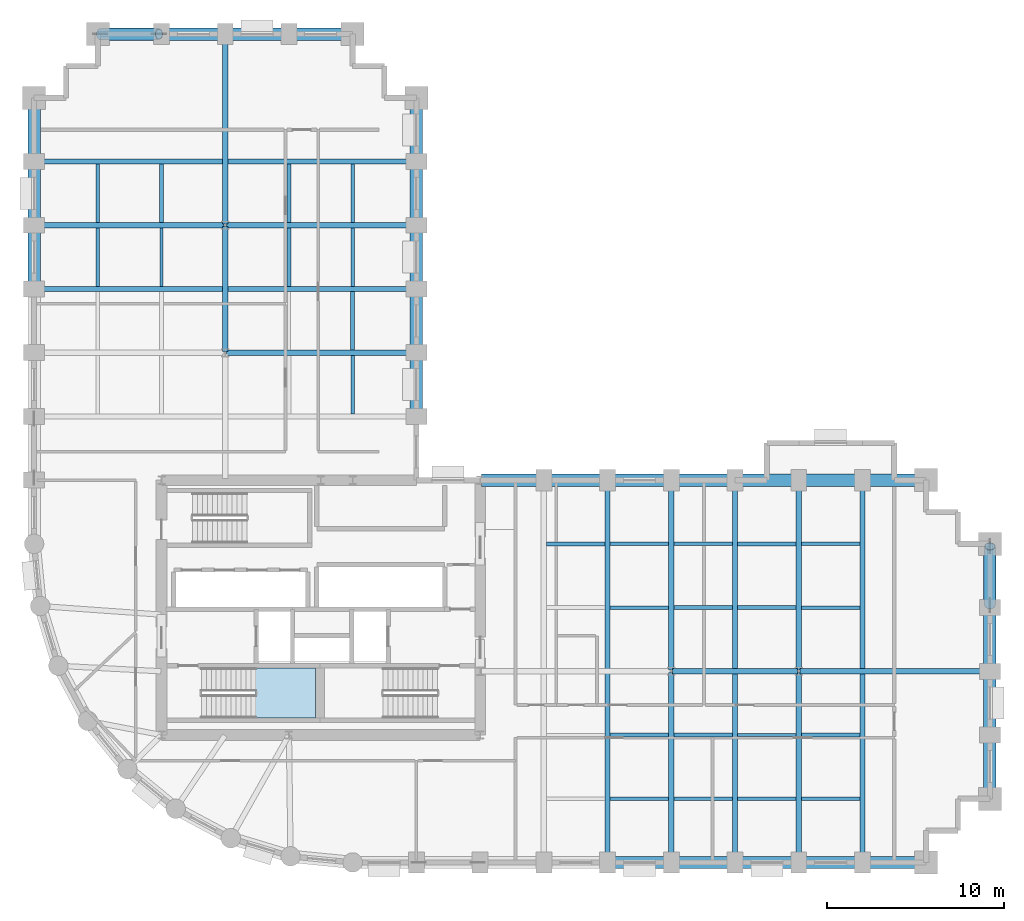
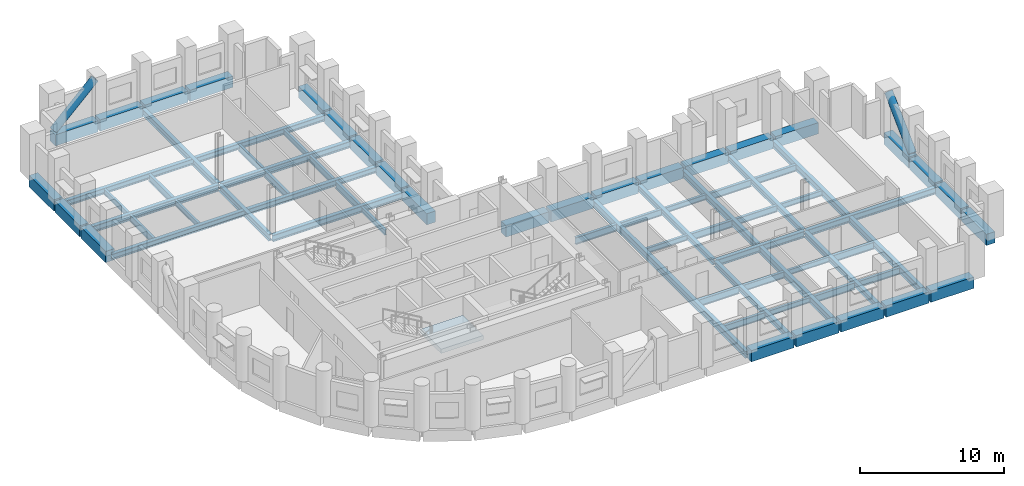
# One storey, part 2 of 9: 71 beams, 2 members, 1 slab, 1 element without a shape of its own.
"""IFC4 building model written with IfcOpenShell, lengths in metres."""

from ifc_helpers import new_model, si_unit, direction, frame, origin, origin_2d, place, context, subcontext, project, spatial, polyline, rectangle, hollow_circle, i_section, outline, extrude, material, layer, layer_set, material_profile, profile_set, type_object, element, aggregate, save


model = new_model("IFC4")

# Units and contexts
model_context = context("Model", 3, precision=1e-05, world=origin(), true_north=direction((0.0, 1.0)))
body_context = subcontext(model_context, "Body", "Model", "MODEL_VIEW")
ifc_project = project(units=[si_unit("LENGTHUNIT", "METRE"), si_unit("AREAUNIT", "SQUARE_METRE"), si_unit("VOLUMEUNIT", "CUBIC_METRE"), si_unit("PLANEANGLEUNIT", "RADIAN"), si_unit("MASSUNIT", "GRAM", prefix="KILO")], contexts=[model_context])

# Site, building, storey
site_placement = place(None, origin())
site = spatial("IfcSite", under=ifc_project, at=site_placement, CompositionType="ELEMENT")
building_placement = place(site_placement, origin())
building = spatial("IfcBuilding", under=site, at=building_placement, Name="Solnavia Interchange Tower", CompositionType="ELEMENT")
storey_placement = place(building_placement, frame((0.0, 0.0, 70.800048828125)))
storey = spatial("IfcBuildingStorey", under=building, at=storey_placement, Name="L17", CompositionType="ELEMENT", Elevation=70.800048828125)

# Beams
ifc_material_1 = material(Name="Steel S460", Category="steel")
ifc_material_profile_1 = material_profile(ifc_material_1, i_section(OverallWidth=0.300048828125, OverallDepth=0.550048828125, WebThickness=0.014892578125, FlangeThickness=0.029052734375, FilletRadius=0.027099609375, at=origin_2d()), Name="HEB 550")
ifc_profile_set_1 = profile_set([ifc_material_profile_1], Name="Steel S460")
beam_type_1 = type_object("IfcBeamType", Name="Beam-Girder-HEB550", PredefinedType="BEAM", material=ifc_profile_set_1)
beam_1_placement = place(storey_placement, frame((43.280029296875, 14.39990234375, -0.525146484375), z_axis=(1.0, 0.0, 0.0), x_axis=(0.0, 1.0, 0.0)))
element("IfcBeam", 1, at=beam_1_placement, inside=storey, type_object=beam_type_1, Name="GRD-L17-ES02 East wing spine girder", PredefinedType="BEAM", context=body_context, shape_type="SweptSolid", body=[
    extrude(i_section(OverallWidth=0.300048828125, OverallDepth=0.550048828125, WebThickness=0.014892578125, FlangeThickness=0.029052734375, FilletRadius=0.027099609375, at=origin_2d()), origin(), (0.0, 0.0, 1.0), 7.0400390625),
])
beam_2_placement = place(storey_placement, frame((50.47998046875, 14.39990234375, -0.525146484375), z_axis=(1.0, 0.0, 0.0), x_axis=(0.0, 1.0, 0.0)))
element("IfcBeam", 2, at=beam_2_placement, inside=storey, type_object=beam_type_1, Name="GRD-L17-ES03 East wing spine girder", PredefinedType="BEAM", context=body_context, shape_type="SweptSolid", body=[
    extrude(i_section(OverallWidth=0.300048828125, OverallDepth=0.550048828125, WebThickness=0.014892578125, FlangeThickness=0.029052734375, FilletRadius=0.027099609375, at=origin_2d()), origin(), (0.0, 0.0, 1.0), 10.64013671875),
])
beam_3_placement = place(storey_placement, frame((18.0, 32.47998046875, -0.525146484375), z_axis=(0.0, 1.0, 0.0), x_axis=(-1.0, 0.0, 0.0)))
element("IfcBeam", 3, at=beam_3_placement, inside=storey, type_object=beam_type_1, Name="GRD-L17-NS13 North wing spine girder", PredefinedType="BEAM", context=body_context, shape_type="SweptSolid", body=[
    extrude(i_section(OverallWidth=0.300048828125, OverallDepth=0.550048828125, WebThickness=0.014892578125, FlangeThickness=0.029052734375, FilletRadius=0.027099609375, at=origin_2d()), origin(), (0.0, 0.0, 1.0), 7.0400390625),
])
beam_4_placement = place(storey_placement, frame((18.0, 39.679931640625, -0.525146484375), z_axis=(0.0, 1.0, 0.0), x_axis=(-1.0, 0.0, 0.0)))
element("IfcBeam", 4, at=beam_4_placement, inside=storey, type_object=beam_type_1, Name="GRD-L17-NS14 North wing spine girder", PredefinedType="BEAM", context=body_context, shape_type="SweptSolid", body=[
    extrude(i_section(OverallWidth=0.300048828125, OverallDepth=0.550048828125, WebThickness=0.014892578125, FlangeThickness=0.029052734375, FilletRadius=0.027099609375, at=origin_2d()), origin(), (0.0, 0.0, 1.0), 10.64013671875),
])
for number, where, z_axis, x_axis, name in (
    (5, (18.080078125, 32.39990234375, -0.525146484375), (1.0, 0.0, 0.0), (0.0, 1.0, 0.0), "GRD-L17-NW17 North wing primary floor girder"),
    (6, (7.280029296875, 39.60009765625, -0.525146484375), (1.0, 0.0, 0.0), (0.0, 1.0, 0.0), "GRD-L17-NW19 North wing primary floor girder"),
    (7, (18.080078125, 39.60009765625, -0.525146484375), (1.0, 0.0, 0.0), (0.0, 1.0, 0.0), "GRD-L17-NW20 North wing primary floor girder"),
):
    element("IfcBeam", number, at=place(storey_placement, frame(where, z_axis=z_axis, x_axis=x_axis)), inside=storey, type_object=beam_type_1, Name=name, PredefinedType="BEAM", context=body_context, shape_type="SweptSolid", body=[
        extrude(i_section(OverallWidth=0.300048828125, OverallDepth=0.550048828125, WebThickness=0.014892578125, FlangeThickness=0.029052734375, FilletRadius=0.027099609375, at=origin_2d()), origin(), (0.0, 0.0, 1.0), 10.639892578125),
    ])
ifc_material_2 = material(Name="Steel S355", Category="steel")
ifc_material_profile_2 = material_profile(ifc_material_2, i_section(OverallWidth=0.18994140625, OverallDepth=0.449951171875, WebThickness=0.009521484375, FlangeThickness=0.0146484375, FilletRadius=0.02099609375, at=origin_2d()), Name="IPE 450")
ifc_profile_set_2 = profile_set([ifc_material_profile_2], Name="Steel S355")
beam_type_2 = type_object("IfcBeamType", Name="Beam-Joist-IPE450", PredefinedType="JOIST", material=ifc_profile_set_2)
beam_5_placement = place(storey_placement, frame((43.35009765625, 7.199951171875, -0.47509765625), z_axis=(1.0, 0.0, 0.0), x_axis=(0.0, 1.0, 0.0)))
element("IfcBeam", 8, at=beam_5_placement, inside=storey, type_object=beam_type_2, Name="JST-L17-E03 East wing secondary joist", PredefinedType="JOIST", context=body_context, shape_type="SweptSolid", body=[
    extrude(i_section(OverallWidth=0.18994140625, OverallDepth=0.449951171875, WebThickness=0.009521484375, FlangeThickness=0.0146484375, FilletRadius=0.02099609375, at=origin_2d()), origin(), (0.0, 0.0, 1.0), 3.2998046875),
])
for number, where, z_axis, x_axis, name in (
    (9, (46.949951171875, 10.800048828125, -0.47509765625), (1.0, 0.0, 0.0), (0.0, 1.0, 0.0), "JST-L17-E09 East wing secondary joist"),
    (10, (39.75, 18.0, -0.47509765625), (1.0, 0.0, 0.0), (0.0, 1.0, 0.0), "JST-L17-E12 East wing secondary joist"),
    (11, (50.550048828125, 18.0, -0.47509765625), (1.0, 0.0, 0.0), (0.0, 1.0, 0.0), "JST-L17-E15 East wing secondary joist"),
):
    element("IfcBeam", number, at=place(storey_placement, frame(where, z_axis=z_axis, x_axis=x_axis)), inside=storey, type_object=beam_type_2, Name=name, PredefinedType="JOIST", context=body_context, shape_type="SweptSolid", body=[
        extrude(i_section(OverallWidth=0.18994140625, OverallDepth=0.449951171875, WebThickness=0.009521484375, FlangeThickness=0.0146484375, FilletRadius=0.02099609375, at=origin_2d()), origin(), (0.0, 0.0, 1.0), 3.300048828125),
    ])
beam_6_placement = place(storey_placement, frame((43.35009765625, 21.60009765625, -0.47509765625), z_axis=(1.0, 0.0, 0.0), x_axis=(0.0, 1.0, 0.0)))
element("IfcBeam", 12, at=beam_6_placement, inside=storey, type_object=beam_type_2, Name="JST-L17-E18 East wing secondary joist", PredefinedType="JOIST", context=body_context, shape_type="SweptSolid", body=[
    extrude(i_section(OverallWidth=0.18994140625, OverallDepth=0.449951171875, WebThickness=0.009521484375, FlangeThickness=0.0146484375, FilletRadius=0.02099609375, at=origin_2d()), origin(), (0.0, 0.0, 1.0), 3.2998046875),
])
for number, where, z_axis, x_axis, name in (
    (13, (10.800048828125, 39.75, -0.47509765625), (0.0, 1.0, 0.0), (-1.0, 0.0, 0.0), "JST-L17-N24 North wing secondary joist"),
    (14, (14.39990234375, 36.14990234375, -0.47509765625), (0.0, 1.0, 0.0), (-1.0, 0.0, 0.0), "JST-L17-N27 North wing secondary joist"),
    (15, (25.199951171875, 28.949951171875, -0.47509765625), (0.0, 1.0, 0.0), (-1.0, 0.0, 0.0), "JST-L17-N33 North wing secondary joist"),
    (16, (25.199951171875, 39.75, -0.47509765625), (0.0, 1.0, 0.0), (-1.0, 0.0, 0.0), "JST-L17-N36 North wing secondary joist"),
):
    element("IfcBeam", number, at=place(storey_placement, frame(where, z_axis=z_axis, x_axis=x_axis)), inside=storey, type_object=beam_type_2, Name=name, PredefinedType="JOIST", context=body_context, shape_type="SweptSolid", body=[
        extrude(i_section(OverallWidth=0.18994140625, OverallDepth=0.449951171875, WebThickness=0.009521484375, FlangeThickness=0.0146484375, FilletRadius=0.02099609375, at=origin_2d()), origin(), (0.0, 0.0, 1.0), 3.300048828125),
    ])
ifc_material_profile_3 = material_profile(ifc_material_2, i_section(OverallWidth=0.2099609375, OverallDepth=0.550048828125, WebThickness=0.010986328125, FlangeThickness=0.01708984375, FilletRadius=0.02392578125, at=origin_2d()), Name="IPE 550")
ifc_profile_set_3 = profile_set([ifc_material_profile_3], Name="Steel S355")
beam_type_3 = type_object("IfcBeamType", Name="Beam-Joist-IPE550", PredefinedType="JOIST", material=ifc_profile_set_3)
for number, where, z_axis, x_axis, name in (
    (17, (39.75, 7.199951171875, -0.525146484375), (1.0, 0.0, 0.0), (0.0, 1.0, 0.0), "JST-L17-E02 East wing secondary joist"),
    (18, (50.550048828125, 7.199951171875, -0.525146484375), (1.0, 0.0, 0.0), (0.0, 1.0, 0.0), "JST-L17-E05 East wing secondary joist"),
):
    element("IfcBeam", number, at=place(storey_placement, frame(where, z_axis=z_axis, x_axis=x_axis)), inside=storey, type_object=beam_type_3, Name=name, PredefinedType="JOIST", context=body_context, shape_type="SweptSolid", body=[
        extrude(i_section(OverallWidth=0.2099609375, OverallDepth=0.550048828125, WebThickness=0.010986328125, FlangeThickness=0.01708984375, FilletRadius=0.02392578125, at=origin_2d()), origin(), (0.0, 0.0, 1.0), 3.300048828125),
    ])
beam_7_placement = place(storey_placement, frame((43.35009765625, 10.800048828125, -0.525146484375), z_axis=(1.0, 0.0, 0.0), x_axis=(0.0, 1.0, 0.0)))
element("IfcBeam", 19, at=beam_7_placement, inside=storey, type_object=beam_type_3, Name="JST-L17-E08 East wing secondary joist", PredefinedType="JOIST", context=body_context, shape_type="SweptSolid", body=[
    extrude(i_section(OverallWidth=0.2099609375, OverallDepth=0.550048828125, WebThickness=0.010986328125, FlangeThickness=0.01708984375, FilletRadius=0.02392578125, at=origin_2d()), origin(), (0.0, 0.0, 1.0), 3.2998046875),
])
for number, where, z_axis, x_axis, name in (
    (20, (46.949951171875, 18.0, -0.525146484375), (1.0, 0.0, 0.0), (0.0, 1.0, 0.0), "JST-L17-E14 East wing secondary joist"),
    (21, (39.75, 21.60009765625, -0.525146484375), (1.0, 0.0, 0.0), (0.0, 1.0, 0.0), "JST-L17-E17 East wing secondary joist"),
    (22, (50.550048828125, 21.60009765625, -0.525146484375), (1.0, 0.0, 0.0), (0.0, 1.0, 0.0), "JST-L17-E20 East wing secondary joist"),
    (23, (10.800048828125, 36.14990234375, -0.525146484375), (0.0, 1.0, 0.0), (-1.0, 0.0, 0.0), "JST-L17-N23 North wing secondary joist"),
    (24, (21.60009765625, 39.75, -0.525146484375), (0.0, 1.0, 0.0), (-1.0, 0.0, 0.0), "JST-L17-N32 North wing secondary joist"),
    (25, (25.199951171875, 36.14990234375, -0.525146484375), (0.0, 1.0, 0.0), (-1.0, 0.0, 0.0), "JST-L17-N35 North wing secondary joist"),
):
    element("IfcBeam", number, at=place(storey_placement, frame(where, z_axis=z_axis, x_axis=x_axis)), inside=storey, type_object=beam_type_3, Name=name, PredefinedType="JOIST", context=body_context, shape_type="SweptSolid", body=[
        extrude(i_section(OverallWidth=0.2099609375, OverallDepth=0.550048828125, WebThickness=0.010986328125, FlangeThickness=0.01708984375, FilletRadius=0.02392578125, at=origin_2d()), origin(), (0.0, 0.0, 1.0), 3.300048828125),
    ])
ifc_material_profile_4 = material_profile(ifc_material_2, i_section(OverallWidth=0.219970703125, OverallDepth=0.60009765625, WebThickness=0.011962890625, FlangeThickness=0.01904296875, FilletRadius=0.02392578125, at=origin_2d()), Name="IPE 600")
ifc_profile_set_4 = profile_set([ifc_material_profile_4], Name="Steel S355")
beam_type_4 = type_object("IfcBeamType", Name="Beam-Joist-IPE600", PredefinedType="JOIST", material=ifc_profile_set_4)
for number, where, z_axis, x_axis, name in (
    (26, (46.949951171875, 7.199951171875, -0.550048828125), (1.0, 0.0, 0.0), (0.0, 1.0, 0.0), "JST-L17-E04 East wing secondary joist"),
    (27, (39.75, 10.800048828125, -0.550048828125), (1.0, 0.0, 0.0), (0.0, 1.0, 0.0), "JST-L17-E07 East wing secondary joist"),
    (28, (50.550048828125, 10.800048828125, -0.550048828125), (1.0, 0.0, 0.0), (0.0, 1.0, 0.0), "JST-L17-E10 East wing secondary joist"),
):
    element("IfcBeam", number, at=place(storey_placement, frame(where, z_axis=z_axis, x_axis=x_axis)), inside=storey, type_object=beam_type_4, Name=name, PredefinedType="JOIST", context=body_context, shape_type="SweptSolid", body=[
        extrude(i_section(OverallWidth=0.219970703125, OverallDepth=0.60009765625, WebThickness=0.011962890625, FlangeThickness=0.01904296875, FilletRadius=0.02392578125, at=origin_2d()), origin(), (0.0, 0.0, 1.0), 3.300048828125),
    ])
beam_8_placement = place(storey_placement, frame((43.35009765625, 18.0, -0.550048828125), z_axis=(1.0, 0.0, 0.0), x_axis=(0.0, 1.0, 0.0)))
element("IfcBeam", 29, at=beam_8_placement, inside=storey, type_object=beam_type_4, Name="JST-L17-E13 East wing secondary joist", PredefinedType="JOIST", context=body_context, shape_type="SweptSolid", body=[
    extrude(i_section(OverallWidth=0.219970703125, OverallDepth=0.60009765625, WebThickness=0.011962890625, FlangeThickness=0.01904296875, FilletRadius=0.02392578125, at=origin_2d()), origin(), (0.0, 0.0, 1.0), 3.2998046875),
])
for number, where, z_axis, x_axis, name in (
    (30, (36.14990234375, 21.60009765625, -0.550048828125), (1.0, 0.0, 0.0), (0.0, 1.0, 0.0), "JST-L17-E16 East wing secondary joist"),
    (31, (46.949951171875, 21.60009765625, -0.550048828125), (1.0, 0.0, 0.0), (0.0, 1.0, 0.0), "JST-L17-E19 East wing secondary joist"),
    (32, (14.39990234375, 39.75, -0.550048828125), (0.0, 1.0, 0.0), (-1.0, 0.0, 0.0), "JST-L17-N28 North wing secondary joist"),
    (33, (21.60009765625, 36.14990234375, -0.550048828125), (0.0, 1.0, 0.0), (-1.0, 0.0, 0.0), "JST-L17-N31 North wing secondary joist"),
    (34, (25.199951171875, 32.550048828125, -0.550048828125), (0.0, 1.0, 0.0), (-1.0, 0.0, 0.0), "JST-L17-N34 North wing secondary joist"),
):
    element("IfcBeam", number, at=place(storey_placement, frame(where, z_axis=z_axis, x_axis=x_axis)), inside=storey, type_object=beam_type_4, Name=name, PredefinedType="JOIST", context=body_context, shape_type="SweptSolid", body=[
        extrude(i_section(OverallWidth=0.219970703125, OverallDepth=0.60009765625, WebThickness=0.011962890625, FlangeThickness=0.01904296875, FilletRadius=0.02392578125, at=origin_2d()), origin(), (0.0, 0.0, 1.0), 3.300048828125),
    ])
ifc_material_profile_5 = material_profile(ifc_material_2, i_section(OverallWidth=0.300048828125, OverallDepth=0.489990234375, WebThickness=0.011962890625, FlangeThickness=0.02294921875, FilletRadius=0.027099609375, at=origin_2d()), Name="HEA 500")
ifc_profile_set_5 = profile_set([ifc_material_profile_5], Name="Steel S355")
beam_type_5 = type_object("IfcBeamType", Name="Beam-Primary-HEA500", PredefinedType="BEAM", material=ifc_profile_set_5)
for number, where, z_axis, x_axis, name in (
    (35, (43.199951171875, 3.679931640625, -0.4951171875), (0.0, 1.0, 0.0), (-1.0, 0.0, 0.0), "GRD-L17-EW06 East wing primary floor girder"),
    (36, (43.199951171875, 14.47998046875, -0.4951171875), (0.0, 1.0, 0.0), (-1.0, 0.0, 0.0), "GRD-L17-EW07 East wing primary floor girder"),
    (37, (50.39990234375, 3.679931640625, -0.4951171875), (0.0, 1.0, 0.0), (-1.0, 0.0, 0.0), "GRD-L17-EW09 East wing primary floor girder"),
    (38, (50.39990234375, 14.47998046875, -0.4951171875), (0.0, 1.0, 0.0), (-1.0, 0.0, 0.0), "GRD-L17-EW10 East wing primary floor girder"),
):
    element("IfcBeam", number, at=place(storey_placement, frame(where, z_axis=z_axis, x_axis=x_axis)), inside=storey, type_object=beam_type_5, Name=name, PredefinedType="BEAM", context=body_context, shape_type="SweptSolid", body=[
        extrude(i_section(OverallWidth=0.300048828125, OverallDepth=0.489990234375, WebThickness=0.011962890625, FlangeThickness=0.02294921875, FilletRadius=0.027099609375, at=origin_2d()), origin(), (0.0, 0.0, 1.0), 10.64013671875),
    ])
for number, where, z_axis, x_axis, name in (
    (39, (7.280029296875, 36.0, -0.4951171875), (1.0, 0.0, 0.0), (0.0, 1.0, 0.0), "GRD-L17-NW18 North wing primary floor girder"),
    (40, (7.280029296875, 43.199951171875, -0.4951171875), (1.0, 0.0, 0.0), (0.0, 1.0, 0.0), "GRD-L17-NW21 North wing primary floor girder"),
):
    element("IfcBeam", number, at=place(storey_placement, frame(where, z_axis=z_axis, x_axis=x_axis)), inside=storey, type_object=beam_type_5, Name=name, PredefinedType="BEAM", context=body_context, shape_type="SweptSolid", body=[
        extrude(i_section(OverallWidth=0.300048828125, OverallDepth=0.489990234375, WebThickness=0.011962890625, FlangeThickness=0.02294921875, FilletRadius=0.027099609375, at=origin_2d()), origin(), (0.0, 0.0, 1.0), 21.43994140625),
    ])
ifc_material_profile_6 = material_profile(ifc_material_2, i_section(OverallWidth=0.300048828125, OverallDepth=0.590087890625, WebThickness=0.012939453125, FlangeThickness=0.02490234375, FilletRadius=0.027099609375, at=origin_2d()), Name="HEA 600")
ifc_profile_set_6 = profile_set([ifc_material_profile_6], Name="Steel S355")
beam_type_6 = type_object("IfcBeamType", Name="Beam-Primary-HEA600", PredefinedType="BEAM", material=ifc_profile_set_6)
for number, where, z_axis, x_axis, name in (
    (41, (39.60009765625, 3.679931640625, -0.545166015625), (0.0, 1.0, 0.0), (-1.0, 0.0, 0.0), "GRD-L17-EW05 East wing primary floor girder"),
    (42, (46.800048828125, 3.679931640625, -0.545166015625), (0.0, 1.0, 0.0), (-1.0, 0.0, 0.0), "GRD-L17-EW08 East wing primary floor girder"),
    (43, (54.0, 3.679931640625, -0.545166015625), (0.0, 1.0, 0.0), (-1.0, 0.0, 0.0), "GRD-L17-EW11 East wing primary floor girder"),
):
    element("IfcBeam", number, at=place(storey_placement, frame(where, z_axis=z_axis, x_axis=x_axis)), inside=storey, type_object=beam_type_6, Name=name, PredefinedType="BEAM", context=body_context, shape_type="SweptSolid", body=[
        extrude(i_section(OverallWidth=0.300048828125, OverallDepth=0.590087890625, WebThickness=0.012939453125, FlangeThickness=0.02490234375, FilletRadius=0.027099609375, at=origin_2d()), origin(), (0.0, 0.0, 1.0), 21.440185546875),
    ])
ifc_material_3 = material(Name="Concrete C50/60", Category="concrete")
ifc_material_profile_7 = material_profile(ifc_material_3, rectangle(XDim=0.699951171875, YDim=0.949951171875, at=origin_2d()), Name="RC 700x950")
ifc_profile_set_7 = profile_set([ifc_material_profile_7], Name="Concrete C50/60")
beam_type_7 = type_object("IfcBeamType", Name="Beam-Spandrel-RC700x950", PredefinedType="SPANDREL", material=ifc_profile_set_7)
beam_9_placement = place(storey_placement, frame((39.679931640625, 3.60009765625, -0.47509765625), z_axis=(1.0, 0.0, 0.0), x_axis=(0.0, 1.0, 0.0)))
element("IfcBeam", 44, at=beam_9_placement, inside=storey, type_object=beam_type_7, Name="SPB-L17-13 Framed-tube perimeter spandrel beam", PredefinedType="SPANDREL", context=body_context, shape_type="SweptSolid", body=[
    extrude(rectangle(XDim=0.699951171875, YDim=0.949951171875, at=origin_2d()), origin(), (0.0, 0.0, 1.0), 3.440185546875),
])
beam_10_placement = place(storey_placement, frame((43.280029296875, 3.60009765625, -0.47509765625), z_axis=(1.0, 0.0, 0.0), x_axis=(0.0, 1.0, 0.0)))
element("IfcBeam", 45, at=beam_10_placement, inside=storey, type_object=beam_type_7, Name="SPB-L17-14 Framed-tube perimeter spandrel beam", PredefinedType="SPANDREL", context=body_context, shape_type="SweptSolid", body=[
    extrude(rectangle(XDim=0.699951171875, YDim=0.949951171875, at=origin_2d()), origin(), (0.0, 0.0, 1.0), 3.43994140625),
])
beam_11_placement = place(storey_placement, frame((46.8798828125, 3.60009765625, -0.47509765625), z_axis=(1.0, 0.0, 0.0), x_axis=(0.0, 1.0, 0.0)))
element("IfcBeam", 46, at=beam_11_placement, inside=storey, type_object=beam_type_7, Name="SPB-L17-15 Framed-tube perimeter spandrel beam", PredefinedType="SPANDREL", context=body_context, shape_type="SweptSolid", body=[
    extrude(rectangle(XDim=0.699951171875, YDim=0.949951171875, at=origin_2d()), origin(), (0.0, 0.0, 1.0), 3.440185546875),
])
for number, where, z_axis, x_axis, name in (
    (47, (50.47998046875, 3.60009765625, -0.47509765625), (1.0, 0.0, 0.0), (0.0, 1.0, 0.0), "SPB-L17-16 Framed-tube perimeter spandrel beam"),
    (48, (54.080078125, 3.60009765625, -0.47509765625), (1.0, 0.0, 0.0), (0.0, 1.0, 0.0), "SPB-L17-17 Framed-tube perimeter spandrel beam"),
    (49, (61.199951171875, 7.280029296875, -0.47509765625), (0.0, 1.0, 0.0), (-1.0, 0.0, 0.0), "SPB-L17-18 Framed-tube perimeter spandrel beam"),
):
    element("IfcBeam", number, at=place(storey_placement, frame(where, z_axis=z_axis, x_axis=x_axis)), inside=storey, type_object=beam_type_7, Name=name, PredefinedType="SPANDREL", context=body_context, shape_type="SweptSolid", body=[
        extrude(rectangle(XDim=0.699951171875, YDim=0.949951171875, at=origin_2d()), origin(), (0.0, 0.0, 1.0), 3.43994140625),
    ])
beam_12_placement = place(storey_placement, frame((61.199951171875, 10.8798828125, -0.47509765625), z_axis=(0.0, 1.0, 0.0), x_axis=(-1.0, 0.0, 0.0)))
element("IfcBeam", 50, at=beam_12_placement, inside=storey, type_object=beam_type_7, Name="SPB-L17-19 Framed-tube perimeter spandrel beam", PredefinedType="SPANDREL", context=body_context, shape_type="SweptSolid", body=[
    extrude(rectangle(XDim=0.699951171875, YDim=0.949951171875, at=origin_2d()), origin(), (0.0, 0.0, 1.0), 3.440185546875),
])
for number, where, z_axis, x_axis, name in (
    (51, (61.199951171875, 14.47998046875, -0.47509765625), (0.0, 1.0, 0.0), (-1.0, 0.0, 0.0), "SPB-L17-20 Framed-tube perimeter spandrel beam"),
    (52, (61.199951171875, 18.080078125, -0.47509765625), (0.0, 1.0, 0.0), (-1.0, 0.0, 0.0), "SPB-L17-21 Framed-tube perimeter spandrel beam"),
    (53, (57.52001953125, 25.199951171875, -0.47509765625), (-1.0, 0.0, 0.0), (0.0, -1.0, 0.0), "SPB-L17-22 Framed-tube perimeter spandrel beam"),
    (54, (53.919921875, 25.199951171875, -0.47509765625), (-1.0, 0.0, 0.0), (0.0, -1.0, 0.0), "SPB-L17-23 Framed-tube perimeter spandrel beam"),
):
    element("IfcBeam", number, at=place(storey_placement, frame(where, z_axis=z_axis, x_axis=x_axis)), inside=storey, type_object=beam_type_7, Name=name, PredefinedType="SPANDREL", context=body_context, shape_type="SweptSolid", body=[
        extrude(rectangle(XDim=0.699951171875, YDim=0.949951171875, at=origin_2d()), origin(), (0.0, 0.0, 1.0), 3.43994140625),
    ])
beam_13_placement = place(storey_placement, frame((50.320068359375, 25.199951171875, -0.47509765625), z_axis=(-1.0, 0.0, 0.0), x_axis=(0.0, -1.0, 0.0)))
element("IfcBeam", 55, at=beam_13_placement, inside=storey, type_object=beam_type_7, Name="SPB-L17-24 Framed-tube perimeter spandrel beam", PredefinedType="SPANDREL", context=body_context, shape_type="SweptSolid", body=[
    extrude(rectangle(XDim=0.699951171875, YDim=0.949951171875, at=origin_2d()), origin(), (0.0, 0.0, 1.0), 3.440185546875),
])
beam_14_placement = place(storey_placement, frame((46.719970703125, 25.199951171875, -0.47509765625), z_axis=(-1.0, 0.0, 0.0), x_axis=(0.0, -1.0, 0.0)))
element("IfcBeam", 56, at=beam_14_placement, inside=storey, type_object=beam_type_7, Name="SPB-L17-25 Framed-tube perimeter spandrel beam", PredefinedType="SPANDREL", context=body_context, shape_type="SweptSolid", body=[
    extrude(rectangle(XDim=0.699951171875, YDim=0.949951171875, at=origin_2d()), origin(), (0.0, 0.0, 1.0), 3.43994140625),
])
beam_15_placement = place(storey_placement, frame((43.1201171875, 25.199951171875, -0.47509765625), z_axis=(-1.0, 0.0, 0.0), x_axis=(0.0, -1.0, 0.0)))
element("IfcBeam", 57, at=beam_15_placement, inside=storey, type_object=beam_type_7, Name="SPB-L17-26 Framed-tube perimeter spandrel beam", PredefinedType="SPANDREL", context=body_context, shape_type="SweptSolid", body=[
    extrude(rectangle(XDim=0.699951171875, YDim=0.949951171875, at=origin_2d()), origin(), (0.0, 0.0, 1.0), 3.440185546875),
])
for number, where, z_axis, x_axis, name in (
    (58, (39.52001953125, 25.199951171875, -0.47509765625), (-1.0, 0.0, 0.0), (0.0, -1.0, 0.0), "SPB-L17-27 Framed-tube perimeter spandrel beam"),
    (59, (35.919921875, 25.199951171875, -0.47509765625), (-1.0, 0.0, 0.0), (0.0, -1.0, 0.0), "SPB-L17-28 Framed-tube perimeter spandrel beam"),
):
    element("IfcBeam", number, at=place(storey_placement, frame(where, z_axis=z_axis, x_axis=x_axis)), inside=storey, type_object=beam_type_7, Name=name, PredefinedType="SPANDREL", context=body_context, shape_type="SweptSolid", body=[
        extrude(rectangle(XDim=0.699951171875, YDim=0.949951171875, at=origin_2d()), origin(), (0.0, 0.0, 1.0), 3.43994140625),
    ])
beam_16_placement = place(storey_placement, frame((28.800048828125, 28.8798828125, -0.47509765625), z_axis=(0.0, 1.0, 0.0), x_axis=(-1.0, 0.0, 0.0)))
element("IfcBeam", 60, at=beam_16_placement, inside=storey, type_object=beam_type_7, Name="SPB-L17-29 Framed-tube perimeter spandrel beam", PredefinedType="SPANDREL", context=body_context, shape_type="SweptSolid", body=[
    extrude(rectangle(XDim=0.699951171875, YDim=0.949951171875, at=origin_2d()), origin(), (0.0, 0.0, 1.0), 3.440185546875),
])
for number, where, z_axis, x_axis, name in (
    (61, (28.800048828125, 32.47998046875, -0.47509765625), (0.0, 1.0, 0.0), (-1.0, 0.0, 0.0), "SPB-L17-30 Framed-tube perimeter spandrel beam"),
    (62, (28.800048828125, 36.080078125, -0.47509765625), (0.0, 1.0, 0.0), (-1.0, 0.0, 0.0), "SPB-L17-31 Framed-tube perimeter spandrel beam"),
):
    element("IfcBeam", number, at=place(storey_placement, frame(where, z_axis=z_axis, x_axis=x_axis)), inside=storey, type_object=beam_type_7, Name=name, PredefinedType="SPANDREL", context=body_context, shape_type="SweptSolid", body=[
        extrude(rectangle(XDim=0.699951171875, YDim=0.949951171875, at=origin_2d()), origin(), (0.0, 0.0, 1.0), 3.43994140625),
    ])
beam_17_placement = place(storey_placement, frame((28.800048828125, 39.679931640625, -0.47509765625), z_axis=(0.0, 1.0, 0.0), x_axis=(-1.0, 0.0, 0.0)))
element("IfcBeam", 63, at=beam_17_placement, inside=storey, type_object=beam_type_7, Name="SPB-L17-32 Framed-tube perimeter spandrel beam", PredefinedType="SPANDREL", context=body_context, shape_type="SweptSolid", body=[
    extrude(rectangle(XDim=0.699951171875, YDim=0.949951171875, at=origin_2d()), origin(), (0.0, 0.0, 1.0), 3.440185546875),
])
beam_18_placement = place(storey_placement, frame((28.800048828125, 43.280029296875, -0.47509765625), z_axis=(0.0, 1.0, 0.0), x_axis=(-1.0, 0.0, 0.0)))
element("IfcBeam", 64, at=beam_18_placement, inside=storey, type_object=beam_type_7, Name="SPB-L17-33 Framed-tube perimeter spandrel beam", PredefinedType="SPANDREL", context=body_context, shape_type="SweptSolid", body=[
    extrude(rectangle(XDim=0.699951171875, YDim=0.949951171875, at=origin_2d()), origin(), (0.0, 0.0, 1.0), 3.43994140625),
])
beam_19_placement = place(storey_placement, frame((25.1201171875, 50.39990234375, -0.47509765625), z_axis=(-1.0, 0.0, 0.0), x_axis=(0.0, -1.0, 0.0)))
element("IfcBeam", 65, at=beam_19_placement, inside=storey, type_object=beam_type_7, Name="SPB-L17-34 Framed-tube perimeter spandrel beam", PredefinedType="SPANDREL", context=body_context, shape_type="SweptSolid", body=[
    extrude(rectangle(XDim=0.699951171875, YDim=0.949951171875, at=origin_2d()), origin(), (0.0, 0.0, 1.0), 3.440185546875),
])
for number, where, z_axis, x_axis, name in (
    (66, (21.52001953125, 50.39990234375, -0.47509765625), (-1.0, 0.0, 0.0), (0.0, -1.0, 0.0), "SPB-L17-35 Framed-tube perimeter spandrel beam"),
    (67, (17.919921875, 50.39990234375, -0.47509765625), (-1.0, 0.0, 0.0), (0.0, -1.0, 0.0), "SPB-L17-36 Framed-tube perimeter spandrel beam"),
):
    element("IfcBeam", number, at=place(storey_placement, frame(where, z_axis=z_axis, x_axis=x_axis)), inside=storey, type_object=beam_type_7, Name=name, PredefinedType="SPANDREL", context=body_context, shape_type="SweptSolid", body=[
        extrude(rectangle(XDim=0.699951171875, YDim=0.949951171875, at=origin_2d()), origin(), (0.0, 0.0, 1.0), 3.43994140625),
    ])
beam_20_placement = place(storey_placement, frame((14.320068359375, 50.39990234375, -0.47509765625), z_axis=(-1.0, 0.0, 0.0), x_axis=(0.0, -1.0, 0.0)))
element("IfcBeam", 68, at=beam_20_placement, inside=storey, type_object=beam_type_7, Name="SPB-L17-37 Framed-tube perimeter spandrel beam", PredefinedType="SPANDREL", context=body_context, shape_type="SweptSolid", body=[
    extrude(rectangle(XDim=0.699951171875, YDim=0.949951171875, at=origin_2d()), origin(), (0.0, 0.0, 1.0), 3.440185546875),
])
beam_21_placement = place(storey_placement, frame((7.199951171875, 46.719970703125, -0.47509765625), z_axis=(0.0, -1.0, 0.0), x_axis=(1.0, 0.0, 0.0)))
element("IfcBeam", 69, at=beam_21_placement, inside=storey, type_object=beam_type_7, Name="SPB-L17-38 Framed-tube perimeter spandrel beam", PredefinedType="SPANDREL", context=body_context, shape_type="SweptSolid", body=[
    extrude(rectangle(XDim=0.699951171875, YDim=0.949951171875, at=origin_2d()), origin(), (0.0, 0.0, 1.0), 3.43994140625),
])
beam_22_placement = place(storey_placement, frame((7.199951171875, 43.1201171875, -0.47509765625), z_axis=(0.0, -1.0, 0.0), x_axis=(1.0, 0.0, 0.0)))
element("IfcBeam", 70, at=beam_22_placement, inside=storey, type_object=beam_type_7, Name="SPB-L17-39 Framed-tube perimeter spandrel beam", PredefinedType="SPANDREL", context=body_context, shape_type="SweptSolid", body=[
    extrude(rectangle(XDim=0.699951171875, YDim=0.949951171875, at=origin_2d()), origin(), (0.0, 0.0, 1.0), 3.440185546875),
])
beam_23_placement = place(storey_placement, frame((7.199951171875, 39.52001953125, -0.47509765625), z_axis=(0.0, -1.0, 0.0), x_axis=(1.0, 0.0, 0.0)))
element("IfcBeam", 71, at=beam_23_placement, inside=storey, type_object=beam_type_7, Name="SPB-L17-40 Framed-tube perimeter spandrel beam", PredefinedType="SPANDREL", context=body_context, shape_type="SweptSolid", body=[
    extrude(rectangle(XDim=0.699951171875, YDim=0.949951171875, at=origin_2d()), origin(), (0.0, 0.0, 1.0), 3.43994140625),
])

# Members
ifc_material_profile_8 = material_profile(ifc_material_1, hollow_circle(Radius=0.304931640625, WallThickness=0.02490234375, at=origin_2d()), Name="CHS 610x25")
ifc_profile_set_8 = profile_set([ifc_material_profile_8], Name="Steel S460")
member_type = type_object("IfcMemberType", Name="Brace-Perim-CHS610", PredefinedType="BRACE", material=ifc_profile_set_8)
for number, where, z_axis, x_axis, name in (
    (72, (61.199951171875, 18.139892578125, 0.179931640625), (0.0, 0.717845231304, 0.696202717528), (-1.0, 0.0, 0.0), "BRC-L17-03 Perimeter tube diagonal brace"),
    (73, (10.93994140625, 50.39990234375, 0.179931640625), (0.717845231304, 0.0, 0.696202717528), (0.0, 1.0, 0.0), "BRC-L17-04 Perimeter tube diagonal brace"),
):
    element("IfcMember", number, at=place(storey_placement, frame(where, z_axis=z_axis, x_axis=x_axis)), inside=storey, type_object=member_type, Name=name, PredefinedType="BRACE", context=body_context, shape_type="SweptSolid", body=[
        extrude(hollow_circle(Radius=0.304931640625, WallThickness=0.02490234375, at=origin_2d()), origin(), (0.0, 0.0, 1.0), 4.625),
    ])

# Stair, slab
ifc_material_4 = material(Name="Concrete C40/50", Category="concrete")
stair_type = type_object("IfcStairType", Name="Stair-Dogleg-RC", PredefinedType="HALF_TURN_STAIR", material=ifc_material_4)
stair_placement = place(storey_placement, origin())
stair = element("IfcStair", 74, at=stair_placement, inside=storey, type_object=stair_type, Name="L17 Core exit stair 1", PredefinedType="HALF_TURN_STAIR")
ifc_layer = layer(ifc_material_4, 0.35009765625)
ifc_layer_set = layer_set([ifc_layer], Name="Concrete C40/50")
slab_type = type_object("IfcSlabType", Name="Slab-StairLanding-350", PredefinedType="LANDING", material=ifc_layer_set)
slab_placement = place(storey_placement, frame((0.0, 0.0, 1.599853515625)))
slab = element("IfcSlab", 75, at=slab_placement, type_object=slab_type, Name="ST-1 landing 1", PredefinedType="LANDING", context=body_context, shape_type="SweptSolid", body=[
    extrude(outline(polyline([(19.7080078125, 11.75), (23.10009765625, 11.75), (23.10009765625, 14.590087890625), (19.7080078125, 14.590087890625), (19.7080078125, 11.75)])), origin(), (0.0, 0.0, 1.0), 0.35009765625),
])
aggregate(stair, [slab])

save(model, "model.ifc")
